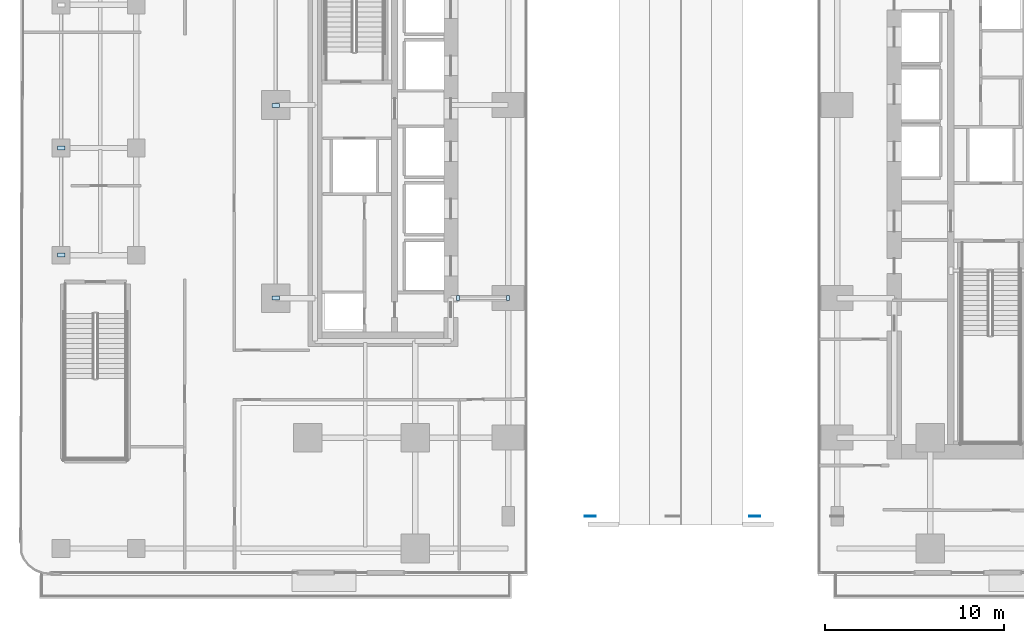
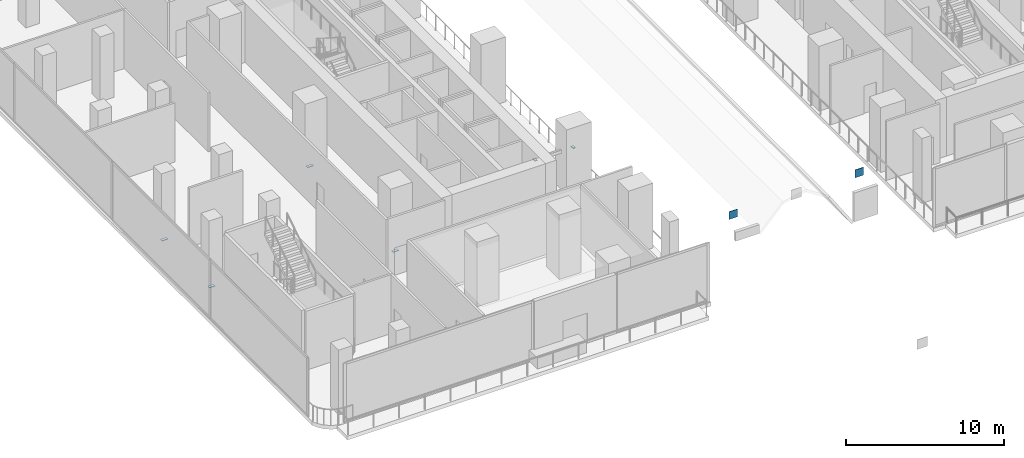
# One storey, part 7 of 32: 8 plates.
"""IFC4 building model written with IfcOpenShell, lengths in metres."""

from ifc_helpers import new_model, si_unit, direction, frame, origin, origin_2d, place, context, subcontext, project, spatial, rectangle, extrude, material, layer, layer_set, type_object, element, save


model = new_model("IFC4")

# Units and contexts
model_context = context("Model", 3, precision=1e-05, world=origin(), true_north=direction((0.0, 1.0)))
body_context = subcontext(model_context, "Body", "Model", "MODEL_VIEW")
ifc_project = project(units=[si_unit("LENGTHUNIT", "METRE"), si_unit("AREAUNIT", "SQUARE_METRE"), si_unit("VOLUMEUNIT", "CUBIC_METRE"), si_unit("PLANEANGLEUNIT", "RADIAN"), si_unit("MASSUNIT", "GRAM", prefix="KILO")], contexts=[model_context])

# Site, building, storey
site_placement = place(None, origin())
site = spatial("IfcSite", under=ifc_project, at=site_placement, CompositionType="ELEMENT")
building_placement = place(site_placement, origin())
building = spatial("IfcBuilding", under=site, at=building_placement, Name="Khairoan Windgate Tower", CompositionType="ELEMENT")
storey_placement = place(building_placement, frame((0.0, 0.0, 16.0)))
storey = spatial("IfcBuildingStorey", under=building, at=storey_placement, Name="L04", CompositionType="ELEMENT", Elevation=16.0)

# Plates
ifc_material_1 = material(Name="Steel S355", Category="steel")
ifc_layer_1 = layer(ifc_material_1, 0.0400390625, Name="Steel S355")
ifc_layer_set_1 = layer_set([ifc_layer_1], Name="Steel S355")
plate_type_1 = type_object("IfcPlateType", Name="Hollow Section End-Cap Plate PL-CAP40", PredefinedType="SHEET", material=ifc_layer_set_1)
for number, where, z_axis, x_axis, name in (
    (1, (-34.199951171875, -8.385009765625, -0.52001953125), (0.0, 0.0, 1.0), (0.0, 1.0, 0.0), "BM-SP-L04-043 steel end-cap plate 1"),
    (2, (-34.199951171875, -2.4150390625, -0.52001953125), (0.0, 0.0, 1.0), (0.0, 1.0, 0.0), "BM-SP-L04-043 steel end-cap plate 2"),
    (3, (-22.199951171875, -10.784912109375, -0.52001953125), (0.0, 0.0, 1.0), (0.0, 1.0, 0.0), "BM-SP-L04-053 steel end-cap plate 1"),
    (4, (-22.199951171875, -0.014892578125, -0.52001953125), (0.0, 0.0, 1.0), (0.0, 1.0, 0.0), "BM-SP-L04-053 steel end-cap plate 2"),
):
    element("IfcPlate", number, at=place(storey_placement, frame(where, z_axis=z_axis, x_axis=x_axis)), inside=storey, type_object=plate_type_1, Name=name, PredefinedType="SHEET", context=body_context, shape_type="SweptSolid", body=[
        extrude(rectangle(XDim=0.219970703125, YDim=0.419921875, at=origin_2d()), origin(), (0.0, 0.0, 1.0), 0.0400390625),
    ])
for number, where, z_axis, x_axis, name in (
    (5, (-12.0048828125, -10.800048828125, 2.929931640625), (0.0, 0.0, 1.0), (1.0, 0.0, 0.0), "BM-LINTEL-L04 steel end-cap plate 1"),
    (6, (-9.215087890625, -10.800048828125, 2.929931640625), (0.0, 0.0, 1.0), (1.0, 0.0, 0.0), "BM-LINTEL-L04 steel end-cap plate 2"),
):
    element("IfcPlate", number, at=place(storey_placement, frame(where, z_axis=z_axis, x_axis=x_axis)), inside=storey, type_object=plate_type_1, Name=name, PredefinedType="SHEET", context=body_context, shape_type="SweptSolid", body=[
        extrude(rectangle(XDim=0.169921875, YDim=0.27001953125, at=origin_2d()), origin(), (0.0, 0.0, 1.0), 0.0400390625),
    ])
ifc_material_2 = material(Name="Steel S355", Category="steel")
ifc_layer_2 = layer(ifc_material_2, 0.031982421875, Name="Steel S355")
ifc_layer_set_2 = layer_set([ifc_layer_2], Name="Steel S355")
plate_type_2 = type_object("IfcPlateType", Name="Outrigger Node Gusset Plate PL-GUS32", PredefinedType="SHEET", material=ifc_layer_set_2)
for number, where, z_axis, x_axis, name in (
    (7, (-4.60009765625, -23.0, 3.25), (0.0, 0.0, 1.0), (1.0, 0.0, 0.0), "Arch Spandrel Upper Gusset S-1B"),
    (8, (4.60009765625, -23.0, 3.25), (0.0, 0.0, 1.0), (1.0, 0.0, 0.0), "Arch Spandrel Upper Gusset S-2B"),
):
    element("IfcPlate", number, at=place(storey_placement, frame(where, z_axis=z_axis, x_axis=x_axis)), inside=storey, type_object=plate_type_2, Name=name, PredefinedType="SHEET", context=body_context, shape_type="SweptSolid", body=[
        extrude(rectangle(XDim=0.60009765625, YDim=0.031982421875, at=origin_2d()), origin(), (0.0, 0.0, 1.0), 0.60009765625),
    ])

save(model, "model.ifc")
